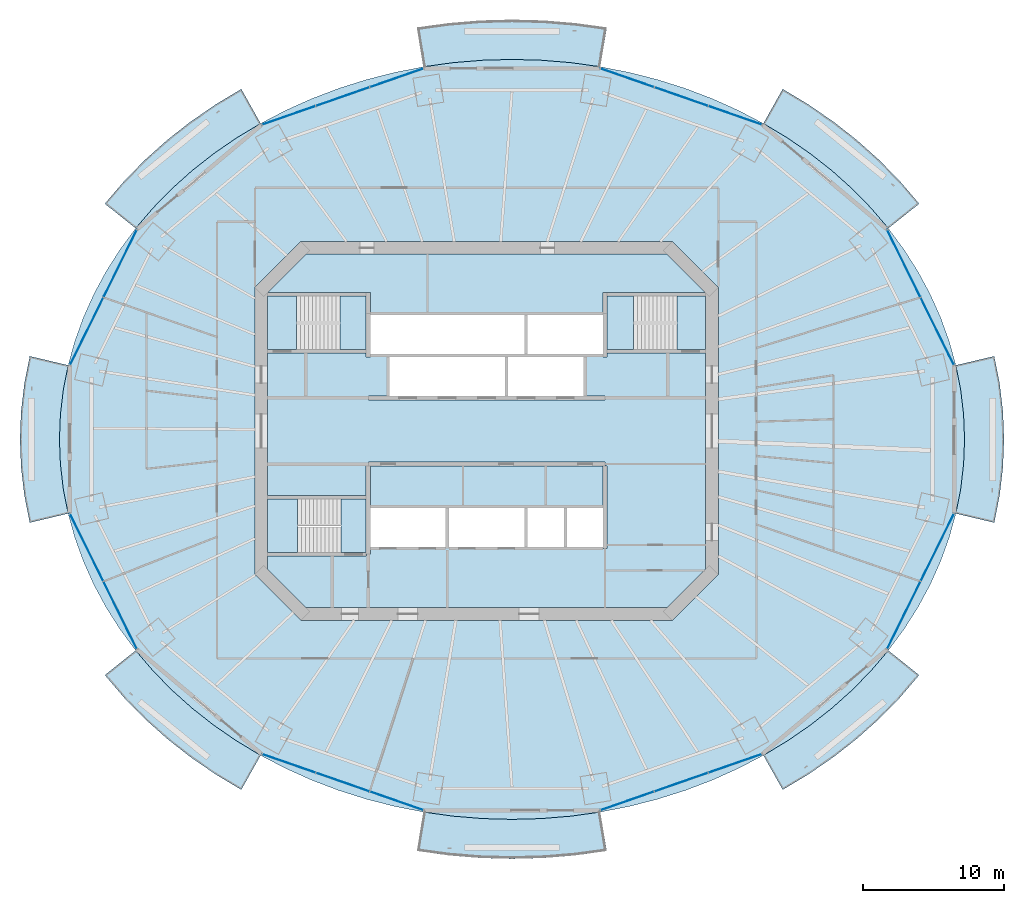
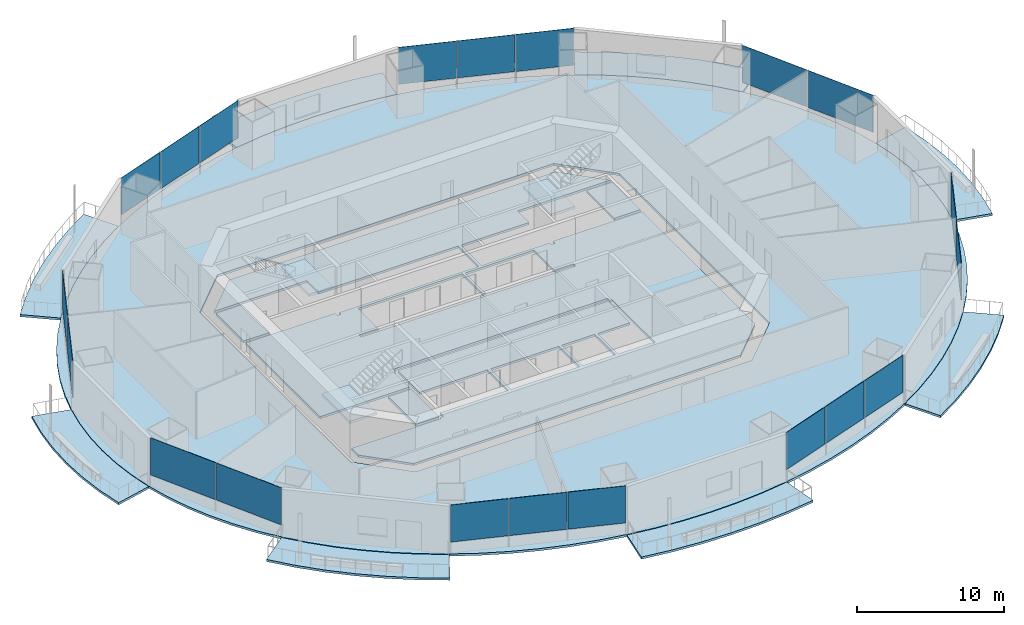
# One storey, part 10 of 20: 20 plates, 16 slabs, 11 elements without a shape of their own.
"""IFC4 building model written with IfcOpenShell, lengths in metres."""

from ifc_helpers import new_model, si_unit, direction, frame, origin, origin_2d, place, context, subcontext, project, spatial, polyline, rectangle, outline, extrude, material, layer, layer_set, type_object, element, aggregate, save


model = new_model("IFC4")

# Units and contexts
model_context = context("Model", 3, precision=1e-05, world=origin(), true_north=direction((0.0, 1.0)))
body_context = subcontext(model_context, "Body", "Model", "MODEL_VIEW")
ifc_project = project(units=[si_unit("LENGTHUNIT", "METRE"), si_unit("AREAUNIT", "SQUARE_METRE"), si_unit("VOLUMEUNIT", "CUBIC_METRE"), si_unit("PLANEANGLEUNIT", "RADIAN"), si_unit("MASSUNIT", "GRAM", prefix="KILO")], contexts=[model_context])

# Site, building, storey
site_placement = place(None, origin())
site = spatial("IfcSite", under=ifc_project, at=site_placement, CompositionType="ELEMENT")
building_placement = place(site_placement, origin())
building = spatial("IfcBuilding", under=site, at=building_placement, Name="Marenthal Gate Tower", CompositionType="ELEMENT")
storey_placement = place(building_placement, frame((0.0, 0.0, 190.10009765625)))
storey = spatial("IfcBuildingStorey", under=building, at=storey_placement, Name="L41", CompositionType="ELEMENT", Elevation=190.10009765625)

# Slabs
ifc_material_1 = material(Name="Concrete 40 MPa", Category="concrete")
ifc_layer_1 = layer(ifc_material_1, 0.179931640625)
ifc_layer_set_1 = layer_set([ifc_layer_1], Name="Balcony deck 180")
slab_type_1 = type_object("IfcSlabType", Name="Balcony deck 180", PredefinedType="USERDEFINED", material=ifc_layer_set_1)
slab_1_placement = place(storey_placement, frame((0.0, 0.0, -0.22021484375)))
element("IfcSlab", 1, at=slab_1_placement, inside=storey, type_object=slab_type_1, Name="Balcony deck L41 bay 2", ObjectType="BALCONY", PredefinedType="USERDEFINED", context=body_context, shape_type="SweptSolid", body=[
    extrude(outline(polyline([(28.519287109375, 14.389892578125), (27.29443359375, 15.824951171875), (25.96044921875, 17.189697265625), (24.52294921875, 18.478515625), (22.988037109375, 19.685302734375), (21.362548828125, 20.805419921875), (19.6533203125, 21.833984375), (21.023193359375, 24.27587890625), (22.87890625, 23.1591796875), (24.648193359375, 21.940185546875), (26.3232421875, 20.622802734375), (27.896728515625, 19.21240234375), (29.361328125, 17.7138671875), (30.710205078125, 16.13330078125), (28.519287109375, 14.389892578125)])), origin(), (0.0, 0.0, 1.0), 0.18017578125),
])
slab_2_placement = place(storey_placement, frame((0.0, 0.0, -0.22021484375)))
element("IfcSlab", 2, at=slab_2_placement, inside=storey, type_object=slab_type_1, Name="Balcony deck L41 bay 4", ObjectType="BALCONY", PredefinedType="USERDEFINED", context=body_context, shape_type="SweptSolid", body=[
    extrude(outline(polyline([(8.069091796875, 25.862548828125), (5.994384765625, 26.150146484375), (3.901611328125, 26.3232421875), (1.800048828125, 26.381103515625), (-0.3017578125, 26.3232421875), (-2.39453125, 26.150146484375), (-4.46923828125, 25.862548828125), (-4.930419921875, 28.624267578125), (-2.7021484375, 28.933349609375), (-0.45556640625, 29.118896484375), (1.800048828125, 29.180908203125), (4.0556640625, 29.118896484375), (6.30224609375, 28.933349609375), (8.530517578125, 28.624267578125), (8.069091796875, 25.862548828125)])), origin(), (0.0, 0.0, 1.0), 0.18017578125),
])
slab_3_placement = place(storey_placement, frame((0.0, 0.0, -0.22021484375)))
element("IfcSlab", 3, at=slab_3_placement, inside=storey, type_object=slab_type_1, Name="Balcony deck L41 bay 6", ObjectType="BALCONY", PredefinedType="USERDEFINED", context=body_context, shape_type="SweptSolid", body=[
    extrude(outline(polyline([(-16.05322265625, 21.833984375), (-17.762451171875, 20.805419921875), (-19.38818359375, 19.685302734375), (-20.9228515625, 18.478515625), (-22.3603515625, 17.189697265625), (-23.6943359375, 15.824951171875), (-24.919189453125, 14.389892578125), (-27.110107421875, 16.13330078125), (-25.76123046875, 17.7138671875), (-24.296630859375, 19.21240234375), (-22.723388671875, 20.622802734375), (-21.04833984375, 21.940185546875), (-19.279052734375, 23.1591796875), (-17.423095703125, 24.27587890625), (-16.05322265625, 21.833984375)])), origin(), (0.0, 0.0, 1.0), 0.18017578125),
])
slab_4_placement = place(storey_placement, frame((0.0, 0.0, -0.22021484375)))
element("IfcSlab", 4, at=slab_4_placement, inside=storey, type_object=slab_type_1, Name="Balcony deck L41 bay 8", ObjectType="BALCONY", PredefinedType="USERDEFINED", context=body_context, shape_type="SweptSolid", body=[
    extrude(outline(polyline([(-29.717529296875, 4.663818359375), (-30.06005859375, 2.921630859375), (-30.26611328125, 1.16455078125), (-30.3349609375, -0.60009765625), (-30.26611328125, -2.364501953125), (-30.06005859375, -4.12158203125), (-29.717529296875, -5.86376953125), (-32.442138671875, -6.50927734375), (-32.826416015625, -4.555419921875), (-33.0576171875, -2.58251953125), (-33.135009765625, -0.60009765625), (-33.0576171875, 1.382568359375), (-32.826416015625, 3.35546875), (-32.442138671875, 5.30908203125), (-29.717529296875, 4.663818359375)])), origin(), (0.0, 0.0, 1.0), 0.18017578125),
])
slab_5_placement = place(storey_placement, frame((0.0, 0.0, -0.22021484375)))
element("IfcSlab", 5, at=slab_5_placement, inside=storey, type_object=slab_type_1, Name="Balcony deck L41 bay 10", ObjectType="BALCONY", PredefinedType="USERDEFINED", context=body_context, shape_type="SweptSolid", body=[
    extrude(outline(polyline([(-24.919189453125, -15.58984375), (-23.6943359375, -17.02490234375), (-22.3603515625, -18.389892578125), (-20.9228515625, -19.678466796875), (-19.38818359375, -20.885498046875), (-17.762451171875, -22.005615234375), (-16.05322265625, -23.033935546875), (-17.423095703125, -25.475830078125), (-19.279052734375, -24.359375), (-21.04833984375, -23.14013671875), (-22.723388671875, -21.82275390625), (-24.296630859375, -20.412353515625), (-25.76123046875, -18.913818359375), (-27.110107421875, -17.333251953125), (-24.919189453125, -15.58984375)])), origin(), (0.0, 0.0, 1.0), 0.18017578125),
])
slab_6_placement = place(storey_placement, frame((0.0, 0.0, -0.22021484375)))
element("IfcSlab", 6, at=slab_6_placement, inside=storey, type_object=slab_type_1, Name="Balcony deck L41 bay 12", ObjectType="BALCONY", PredefinedType="USERDEFINED", context=body_context, shape_type="SweptSolid", body=[
    extrude(outline(polyline([(-4.46923828125, -27.0625), (-2.39453125, -27.35009765625), (-0.3017578125, -27.523193359375), (1.800048828125, -27.5810546875), (3.901611328125, -27.523193359375), (5.994384765625, -27.35009765625), (8.069091796875, -27.0625), (8.530517578125, -29.824462890625), (6.30224609375, -30.13330078125), (4.0556640625, -30.319091796875), (1.800048828125, -30.381103515625), (-0.45556640625, -30.319091796875), (-2.7021484375, -30.13330078125), (-4.930419921875, -29.824462890625), (-4.46923828125, -27.0625)])), origin(), (0.0, 0.0, 1.0), 0.18017578125),
])
slab_7_placement = place(storey_placement, frame((0.0, 0.0, -0.22021484375)))
element("IfcSlab", 7, at=slab_7_placement, inside=storey, type_object=slab_type_1, Name="Balcony deck L41 bay 14", ObjectType="BALCONY", PredefinedType="USERDEFINED", context=body_context, shape_type="SweptSolid", body=[
    extrude(outline(polyline([(19.6533203125, -23.033935546875), (21.362548828125, -22.005615234375), (22.988037109375, -20.885498046875), (24.52294921875, -19.678466796875), (25.96044921875, -18.389892578125), (27.29443359375, -17.02490234375), (28.519287109375, -15.58984375), (30.710205078125, -17.333251953125), (29.361328125, -18.913818359375), (27.896728515625, -20.412353515625), (26.3232421875, -21.82275390625), (24.648193359375, -23.14013671875), (22.87890625, -24.359375), (21.023193359375, -25.475830078125), (19.6533203125, -23.033935546875)])), origin(), (0.0, 0.0, 1.0), 0.18017578125),
])
slab_8_placement = place(storey_placement, frame((0.0, 0.0, -0.22021484375)))
element("IfcSlab", 8, at=slab_8_placement, inside=storey, type_object=slab_type_1, Name="Balcony deck L41 bay 16", ObjectType="BALCONY", PredefinedType="USERDEFINED", context=body_context, shape_type="SweptSolid", body=[
    extrude(outline(polyline([(33.3173828125, -5.86376953125), (33.66015625, -4.12158203125), (33.8662109375, -2.364501953125), (33.93505859375, -0.60009765625), (33.8662109375, 1.16455078125), (33.66015625, 2.921630859375), (33.3173828125, 4.663818359375), (36.0419921875, 5.30908203125), (36.42626953125, 3.35546875), (36.65771484375, 1.382568359375), (36.735107421875, -0.60009765625), (36.65771484375, -2.58251953125), (36.42626953125, -4.555419921875), (36.0419921875, -6.50927734375), (33.3173828125, -5.86376953125)])), origin(), (0.0, 0.0, 1.0), 0.18017578125),
])
ifc_material_2 = material(Name="Concrete 50 MPa", Category="concrete")
ifc_layer_2 = layer(ifc_material_2, 0.179931640625)
ifc_layer_set_2 = layer_set([ifc_layer_2], Name="Core floor slab 180")
slab_type_2 = type_object("IfcSlabType", Name="Core floor slab 180", PredefinedType="FLOOR", material=ifc_layer_set_2)
slab_9_placement = place(storey_placement, frame((0.0, 0.0, -0.18017578125)))
element("IfcSlab", 9, at=slab_9_placement, inside=storey, type_object=slab_type_2, Name="Core floor L41", PredefinedType="FLOOR", context=body_context, shape_type="SweptSolid", body=[
    extrude(outline(polyline([(12.813720703125, -12.550048828125), (-12.813720703125, -12.550048828125), (-15.550048828125, -9.813720703125), (-15.550048828125, -8.875), (-8.550048828125, -8.875), (-8.550048828125, -8.75), (-8.25, -8.75), (-8.25, -8.239990234375), (-5.60009765625, -8.239990234375), (-2.909912109375, -8.239990234375), (-2.909912109375, -5.4599609375), (-5.60009765625, -5.4599609375), (-8.25, -5.4599609375), (-8.25, -2.5), (8.25, -2.5), (8.25, -5.4599609375), (5.7099609375, -5.4599609375), (5.7099609375, -8.239990234375), (8.25, -8.239990234375), (8.25, -8.35009765625), (8.550048828125, -8.35009765625), (8.550048828125, -2.5), (8.39990234375, -2.5), (8.39990234375, -2.199951171875), (-8.39990234375, -2.199951171875), (-8.39990234375, -2.5), (-8.550048828125, -2.5), (-8.550048828125, -4.574951171875), (-15.550048828125, -4.574951171875), (-15.550048828125, 5.52490234375), (-8.550048828125, 5.52490234375), (-8.550048828125, 5.239990234375), (-8.25, 5.239990234375), (-8.25, 5.4599609375), (-5.60009765625, 5.4599609375), (-2.800048828125, 5.4599609375), (0.0, 5.4599609375), (2.68994140625, 5.4599609375), (2.68994140625, 8.239990234375), (0.0, 8.239990234375), (-2.800048828125, 8.239990234375), (-5.60009765625, 8.239990234375), (-8.25, 8.239990234375), (-8.25, 8.35009765625), (-8.25, 9.824951171875), (-8.550048828125, 9.824951171875), (-15.53857421875, 9.824951171875), (-12.813720703125, 12.550048828125), (12.813720703125, 12.550048828125), (15.53857421875, 9.824951171875), (8.550048828125, 9.824951171875), (8.25, 9.824951171875), (8.25, 8.35009765625), (8.25, 8.239990234375), (5.60009765625, 8.239990234375), (2.909912109375, 8.239990234375), (2.909912109375, 5.4599609375), (5.60009765625, 5.4599609375), (8.25, 5.4599609375), (8.25, 5.239990234375), (8.550048828125, 5.239990234375), (8.550048828125, 5.52490234375), (15.550048828125, 5.52490234375), (15.550048828125, -9.813720703125), (12.813720703125, -12.550048828125)]), holes=[polyline([(2.68994140625, -8.239990234375), (2.68994140625, -5.4599609375), (0.0, -5.4599609375), (-2.68994140625, -5.4599609375), (-2.68994140625, -8.239990234375), (0.0, -8.239990234375), (2.68994140625, -8.239990234375)]), polyline([(-6.889892578125, 5.239990234375), (-6.889892578125, 2.5), (-8.39990234375, 2.5), (-8.39990234375, 2.199951171875), (8.39990234375, 2.199951171875), (8.39990234375, 2.5), (6.889892578125, 2.5), (6.889892578125, 5.239990234375), (4.199951171875, 5.239990234375), (1.510009765625, 5.239990234375), (1.510009765625, 2.5), (1.2900390625, 2.5), (1.2900390625, 5.239990234375), (-1.39990234375, 5.239990234375), (-4.199951171875, 5.239990234375), (-6.889892578125, 5.239990234375)]), polyline([(5.489990234375, -5.4599609375), (2.909912109375, -5.4599609375), (2.909912109375, -8.239990234375), (5.489990234375, -8.239990234375), (5.489990234375, -5.4599609375)])]), origin(), (0.0, 0.0, 1.0), 0.18017578125),
])
slab_10_placement = place(storey_placement, frame((0.0, 0.0, -0.18017578125)))
element("IfcSlab", 10, at=slab_10_placement, inside=storey, type_object=slab_type_2, Name="Core floor L41", PredefinedType="FLOOR", context=body_context, shape_type="SweptSolid", body=[
    extrude(outline(polyline([(15.550048828125, 5.77490234375), (13.5, 5.77490234375), (13.5, 9.574951171875), (15.550048828125, 9.574951171875), (15.550048828125, 5.77490234375)])), origin(), (0.0, 0.0, 1.0), 0.18017578125),
])
slab_11_placement = place(storey_placement, frame((0.0, 0.0, -0.18017578125)))
element("IfcSlab", 11, at=slab_11_placement, inside=storey, type_object=slab_type_2, Name="Core floor L41", PredefinedType="FLOOR", context=body_context, shape_type="SweptSolid", body=[
    extrude(outline(polyline([(-15.550048828125, 9.574951171875), (-13.5, 9.574951171875), (-13.5, 5.77490234375), (-15.550048828125, 5.77490234375), (-15.550048828125, 9.574951171875)])), origin(), (0.0, 0.0, 1.0), 0.18017578125),
])
slab_12_placement = place(storey_placement, frame((0.0, 0.0, -0.18017578125)))
element("IfcSlab", 12, at=slab_12_placement, inside=storey, type_object=slab_type_2, Name="Core floor L41", PredefinedType="FLOOR", context=body_context, shape_type="SweptSolid", body=[
    extrude(outline(polyline([(-8.550048828125, -8.625), (-10.35009765625, -8.625), (-10.35009765625, -4.824951171875), (-8.550048828125, -4.824951171875), (-8.550048828125, -8.625)])), origin(), (0.0, 0.0, 1.0), 0.18017578125),
])
ifc_material_3 = material(Name="Concrete 35 MPa", Category="concrete")
ifc_layer_3 = layer(ifc_material_3, 0.179931640625)
ifc_layer_set_3 = layer_set([ifc_layer_3], Name="Floor slab 180")
slab_type_3 = type_object("IfcSlabType", Name="Floor slab 180", PredefinedType="FLOOR", material=ifc_layer_set_3)
slab_13_placement = place(storey_placement, frame((0.0, 0.0, -0.18017578125)))
element("IfcSlab", 13, at=slab_13_placement, inside=storey, type_object=slab_type_3, Name="SL-L41-01", PredefinedType="FLOOR", context=body_context, shape_type="SweptSolid", body=[
    extrude(outline(polyline([(33.93505859375, -0.60009765625), (33.8662109375, 1.16455078125), (33.66015625, 2.921630859375), (33.3173828125, 4.663818359375), (32.840087890625, 6.38330078125), (32.2294921875, 8.07275390625), (31.489013671875, 9.72509765625), (30.62109375, 11.33349609375), (29.629638671875, 12.890380859375), (28.519287109375, 14.389892578125), (27.29443359375, 15.824951171875), (25.96044921875, 17.189697265625), (24.52294921875, 18.478515625), (22.988037109375, 19.685302734375), (21.362548828125, 20.805419921875), (19.6533203125, 21.833984375), (17.867431640625, 22.76611328125), (16.012939453125, 23.598388671875), (14.097412109375, 24.3271484375), (12.12939453125, 24.94921875), (10.1171875, 25.461669921875), (8.069091796875, 25.862548828125), (5.994384765625, 26.150146484375), (3.901611328125, 26.3232421875), (1.800048828125, 26.381103515625), (-0.3017578125, 26.3232421875), (-2.39453125, 26.150146484375), (-4.46923828125, 25.862548828125), (-6.51708984375, 25.461669921875), (-8.529541015625, 24.94921875), (-10.49755859375, 24.3271484375), (-12.412841796875, 23.598388671875), (-14.267578125, 22.76611328125), (-16.05322265625, 21.833984375), (-17.762451171875, 20.805419921875), (-19.38818359375, 19.685302734375), (-20.9228515625, 18.478515625), (-22.3603515625, 17.189697265625), (-23.6943359375, 15.824951171875), (-24.919189453125, 14.389892578125), (-26.02978515625, 12.890380859375), (-27.02099609375, 11.33349609375), (-27.888916015625, 9.72509765625), (-28.629638671875, 8.07275390625), (-29.239990234375, 6.38330078125), (-29.717529296875, 4.663818359375), (-30.06005859375, 2.921630859375), (-30.26611328125, 1.16455078125), (-30.3349609375, -0.60009765625), (-30.26611328125, -2.364501953125), (-30.06005859375, -4.12158203125), (-29.717529296875, -5.86376953125), (-29.239990234375, -7.583251953125), (-28.629638671875, -9.272705078125), (-27.888916015625, -10.92529296875), (-27.02099609375, -12.533447265625), (-26.02978515625, -14.090576171875), (-24.919189453125, -15.58984375), (-23.6943359375, -17.02490234375), (-22.3603515625, -18.389892578125), (-20.9228515625, -19.678466796875), (-19.38818359375, -20.885498046875), (-17.762451171875, -22.005615234375), (-16.05322265625, -23.033935546875), (-14.267578125, -23.96630859375), (-12.412841796875, -24.798583984375), (-10.49755859375, -25.527099609375), (-8.529541015625, -26.149169921875), (-6.51708984375, -26.66162109375), (-4.46923828125, -27.0625), (-2.39453125, -27.35009765625), (-0.3017578125, -27.523193359375), (1.800048828125, -27.5810546875), (3.901611328125, -27.523193359375), (5.994384765625, -27.35009765625), (8.069091796875, -27.0625), (10.1171875, -26.66162109375), (12.12939453125, -26.149169921875), (14.097412109375, -25.527099609375), (16.012939453125, -24.798583984375), (17.867431640625, -23.96630859375), (19.6533203125, -23.033935546875), (21.362548828125, -22.005615234375), (22.988037109375, -20.885498046875), (24.52294921875, -19.678466796875), (25.96044921875, -18.389892578125), (27.29443359375, -17.02490234375), (28.519287109375, -15.58984375), (29.629638671875, -14.090576171875), (30.62109375, -12.533447265625), (31.489013671875, -10.92529296875), (32.2294921875, -9.272705078125), (32.840087890625, -7.583251953125), (33.3173828125, -5.86376953125), (33.66015625, -4.12158203125), (33.8662109375, -2.364501953125), (33.93505859375, -0.60009765625)]), holes=[polyline([(13.186279296875, -13.449951171875), (16.449951171875, -10.186279296875), (16.449951171875, 10.186279296875), (13.186279296875, 13.449951171875), (-13.186279296875, 13.449951171875), (-16.449951171875, 10.186279296875), (-16.449951171875, -10.186279296875), (-13.186279296875, -13.449951171875), (13.186279296875, -13.449951171875)])]), origin(), (0.0, 0.0, 1.0), 0.18017578125),
])

# Curtain wall, plates
ifc_material_4 = material(Name="Aluminium and glass", Category="aluminium")
curtain_wall_type = type_object("IfcCurtainWallType", Name="Curtain wall typical mid", PredefinedType="NOTDEFINED", material=ifc_material_4)
curtain_wall_1_placement = place(storey_placement, origin())
curtain_wall_1 = element("IfcCurtainWall", 14, at=curtain_wall_1_placement, inside=storey, type_object=curtain_wall_type, Name="Curtain wall L41 bay 1", PredefinedType="NOTDEFINED")
ifc_material_5 = material(Name="Glass, laminated insulating unit", Category="glass")
ifc_layer_4 = layer(ifc_material_5, 0.030029296875)
ifc_layer_set_4 = layer_set([ifc_layer_4], Name="Glass panel 30 typical mid")
plate_type = type_object("IfcPlateType", Name="Glass panel 30 typical mid", PredefinedType="CURTAIN_PANEL", material=ifc_layer_set_4)
plate_1_placement = place(storey_placement, frame((31.998046875, 7.074462890625, 0.89990234375), z_axis=(0.0, 0.0, 1.0), x_axis=(-0.442677643406, 0.896680826174, 0.0)))
plate_1 = element("IfcPlate", 15, at=plate_1_placement, type_object=plate_type, Name="Glass panel L41 bay 1.1", PredefinedType="CURTAIN_PANEL", context=body_context, shape_type="SweptSolid", body=[
    extrude(rectangle(XDim=5.309326171875, YDim=0.030029296875, at=origin_2d()), origin(), (0.0, 0.0, 1.0), 3.070068359375),
])
plate_2_placement = place(storey_placement, frame((29.621337890625, 11.888916015625, 0.89990234375), z_axis=(0.0, 0.0, 1.0), x_axis=(-0.442677643406, 0.896680826174, 0.0)))
plate_2 = element("IfcPlate", 16, at=plate_2_placement, type_object=plate_type, Name="Glass panel L41 bay 1.2", PredefinedType="CURTAIN_PANEL", context=body_context, shape_type="SweptSolid", body=[
    extrude(rectangle(XDim=5.309326171875, YDim=0.030029296875, at=origin_2d()), origin(), (0.0, 0.0, 1.0), 3.070068359375),
])
aggregate(curtain_wall_1, [plate_1, plate_2])

curtain_wall_2_placement = place(storey_placement, origin())
curtain_wall_2 = element("IfcCurtainWall", 17, at=curtain_wall_2_placement, inside=storey, type_object=curtain_wall_type, Name="Curtain wall L41 bay 3", PredefinedType="NOTDEFINED")
plate_3_placement = place(storey_placement, frame((17.644287109375, 22.4091796875, 0.89990234375), z_axis=(0.0, 0.0, 1.0), x_axis=(-0.944582890203, 0.328273001535, 0.0)))
plate_3 = element("IfcPlate", 18, at=plate_3_placement, type_object=plate_type, Name="Glass panel L41 bay 3.1", PredefinedType="CURTAIN_PANEL", context=body_context, shape_type="SweptSolid", body=[
    extrude(rectangle(XDim=3.99267578125, YDim=0.030029296875, at=origin_2d()), origin(), (0.0, 0.0, 1.0), 3.070068359375),
])
plate_4_placement = place(storey_placement, frame((13.816162109375, 23.739501953125, 0.89990234375), z_axis=(0.0, 0.0, 1.0), x_axis=(-0.944582890203, 0.328273001535, 0.0)))
plate_4 = element("IfcPlate", 19, at=plate_4_placement, type_object=plate_type, Name="Glass panel L41 bay 3.2", PredefinedType="CURTAIN_PANEL", context=body_context, shape_type="SweptSolid", body=[
    extrude(rectangle(XDim=3.99267578125, YDim=0.030029296875, at=origin_2d()), origin(), (0.0, 0.0, 1.0), 3.070068359375),
])
plate_5_placement = place(storey_placement, frame((9.988037109375, 25.06982421875, 0.89990234375), z_axis=(0.0, 0.0, 1.0), x_axis=(-0.944582890203, 0.328273001535, 0.0)))
plate_5 = element("IfcPlate", 20, at=plate_5_placement, type_object=plate_type, Name="Glass panel L41 bay 3.3", PredefinedType="CURTAIN_PANEL", context=body_context, shape_type="SweptSolid", body=[
    extrude(rectangle(XDim=3.99267578125, YDim=0.030029296875, at=origin_2d()), origin(), (0.0, 0.0, 1.0), 3.070068359375),
])
aggregate(curtain_wall_2, [plate_3, plate_4, plate_5])

curtain_wall_3_placement = place(storey_placement, origin())
curtain_wall_3 = element("IfcCurtainWall", 21, at=curtain_wall_3_placement, inside=storey, type_object=curtain_wall_type, Name="Curtain wall L41 bay 5", PredefinedType="NOTDEFINED")
plate_6_placement = place(storey_placement, frame((-6.38818359375, 25.06982421875, 0.89990234375), z_axis=(0.0, 0.0, 1.0), x_axis=(-0.944582890203, -0.328273001535, 0.0)))
plate_6 = element("IfcPlate", 22, at=plate_6_placement, type_object=plate_type, Name="Glass panel L41 bay 5.1", PredefinedType="CURTAIN_PANEL", context=body_context, shape_type="SweptSolid", body=[
    extrude(rectangle(XDim=3.99267578125, YDim=0.030029296875, at=origin_2d()), origin(), (0.0, 0.0, 1.0), 3.070068359375),
])
plate_7_placement = place(storey_placement, frame((-10.21630859375, 23.739501953125, 0.89990234375), z_axis=(0.0, 0.0, 1.0), x_axis=(-0.944582890203, -0.328273001535, 0.0)))
plate_7 = element("IfcPlate", 23, at=plate_7_placement, type_object=plate_type, Name="Glass panel L41 bay 5.2", PredefinedType="CURTAIN_PANEL", context=body_context, shape_type="SweptSolid", body=[
    extrude(rectangle(XDim=3.99267578125, YDim=0.030029296875, at=origin_2d()), origin(), (0.0, 0.0, 1.0), 3.070068359375),
])
plate_8_placement = place(storey_placement, frame((-14.044189453125, 22.4091796875, 0.89990234375), z_axis=(0.0, 0.0, 1.0), x_axis=(-0.944582890203, -0.328273001535, 0.0)))
plate_8 = element("IfcPlate", 24, at=plate_8_placement, type_object=plate_type, Name="Glass panel L41 bay 5.3", PredefinedType="CURTAIN_PANEL", context=body_context, shape_type="SweptSolid", body=[
    extrude(rectangle(XDim=3.99267578125, YDim=0.030029296875, at=origin_2d()), origin(), (0.0, 0.0, 1.0), 3.070068359375),
])
aggregate(curtain_wall_3, [plate_6, plate_7, plate_8])

curtain_wall_4_placement = place(storey_placement, origin())
curtain_wall_4 = element("IfcCurtainWall", 25, at=curtain_wall_4_placement, inside=storey, type_object=curtain_wall_type, Name="Curtain wall L41 bay 7", PredefinedType="NOTDEFINED")
plate_9_placement = place(storey_placement, frame((-26.021240234375, 11.888916015625, 0.89990234375), z_axis=(0.0, 0.0, 1.0), x_axis=(-0.442677643406, -0.896680826174, 0.0)))
plate_9 = element("IfcPlate", 26, at=plate_9_placement, type_object=plate_type, Name="Glass panel L41 bay 7.1", PredefinedType="CURTAIN_PANEL", context=body_context, shape_type="SweptSolid", body=[
    extrude(rectangle(XDim=5.309326171875, YDim=0.030029296875, at=origin_2d()), origin(), (0.0, 0.0, 1.0), 3.070068359375),
])
plate_10_placement = place(storey_placement, frame((-28.398193359375, 7.074462890625, 0.89990234375), z_axis=(0.0, 0.0, 1.0), x_axis=(-0.442677643406, -0.896680826174, 0.0)))
plate_10 = element("IfcPlate", 27, at=plate_10_placement, type_object=plate_type, Name="Glass panel L41 bay 7.2", PredefinedType="CURTAIN_PANEL", context=body_context, shape_type="SweptSolid", body=[
    extrude(rectangle(XDim=5.309326171875, YDim=0.030029296875, at=origin_2d()), origin(), (0.0, 0.0, 1.0), 3.070068359375),
])
aggregate(curtain_wall_4, [plate_9, plate_10])

curtain_wall_5_placement = place(storey_placement, origin())
curtain_wall_5 = element("IfcCurtainWall", 28, at=curtain_wall_5_placement, inside=storey, type_object=curtain_wall_type, Name="Curtain wall L41 bay 9", PredefinedType="NOTDEFINED")
plate_11_placement = place(storey_placement, frame((-28.398193359375, -8.2744140625, 0.89990234375), z_axis=(0.0, 0.0, 1.0), x_axis=(0.442677643406, -0.896680826174, 0.0)))
plate_11 = element("IfcPlate", 29, at=plate_11_placement, type_object=plate_type, Name="Glass panel L41 bay 9.1", PredefinedType="CURTAIN_PANEL", context=body_context, shape_type="SweptSolid", body=[
    extrude(rectangle(XDim=5.309326171875, YDim=0.030029296875, at=origin_2d()), origin(), (0.0, 0.0, 1.0), 3.070068359375),
])
plate_12_placement = place(storey_placement, frame((-26.021240234375, -13.089111328125, 0.89990234375), z_axis=(0.0, 0.0, 1.0), x_axis=(0.442677643406, -0.896680826174, 0.0)))
plate_12 = element("IfcPlate", 30, at=plate_12_placement, type_object=plate_type, Name="Glass panel L41 bay 9.2", PredefinedType="CURTAIN_PANEL", context=body_context, shape_type="SweptSolid", body=[
    extrude(rectangle(XDim=5.309326171875, YDim=0.030029296875, at=origin_2d()), origin(), (0.0, 0.0, 1.0), 3.070068359375),
])
aggregate(curtain_wall_5, [plate_11, plate_12])

curtain_wall_6_placement = place(storey_placement, origin())
curtain_wall_6 = element("IfcCurtainWall", 31, at=curtain_wall_6_placement, inside=storey, type_object=curtain_wall_type, Name="Curtain wall L41 bay 11", PredefinedType="NOTDEFINED")
plate_13_placement = place(storey_placement, frame((-14.044189453125, -23.609130859375, 0.89990234375), z_axis=(0.0, 0.0, 1.0), x_axis=(0.944582890203, -0.328273001535, 0.0)))
plate_13 = element("IfcPlate", 32, at=plate_13_placement, type_object=plate_type, Name="Glass panel L41 bay 11.1", PredefinedType="CURTAIN_PANEL", context=body_context, shape_type="SweptSolid", body=[
    extrude(rectangle(XDim=3.99267578125, YDim=0.030029296875, at=origin_2d()), origin(), (0.0, 0.0, 1.0), 3.070068359375),
])
plate_14_placement = place(storey_placement, frame((-10.21630859375, -24.939453125, 0.89990234375), z_axis=(0.0, 0.0, 1.0), x_axis=(0.944582890203, -0.328273001535, 0.0)))
plate_14 = element("IfcPlate", 33, at=plate_14_placement, type_object=plate_type, Name="Glass panel L41 bay 11.2", PredefinedType="CURTAIN_PANEL", context=body_context, shape_type="SweptSolid", body=[
    extrude(rectangle(XDim=3.99267578125, YDim=0.030029296875, at=origin_2d()), origin(), (0.0, 0.0, 1.0), 3.070068359375),
])
plate_15_placement = place(storey_placement, frame((-6.38818359375, -26.269775390625, 0.89990234375), z_axis=(0.0, 0.0, 1.0), x_axis=(0.944582890203, -0.328273001535, 0.0)))
plate_15 = element("IfcPlate", 34, at=plate_15_placement, type_object=plate_type, Name="Glass panel L41 bay 11.3", PredefinedType="CURTAIN_PANEL", context=body_context, shape_type="SweptSolid", body=[
    extrude(rectangle(XDim=3.99267578125, YDim=0.030029296875, at=origin_2d()), origin(), (0.0, 0.0, 1.0), 3.070068359375),
])
aggregate(curtain_wall_6, [plate_13, plate_14, plate_15])

curtain_wall_7_placement = place(storey_placement, origin())
curtain_wall_7 = element("IfcCurtainWall", 35, at=curtain_wall_7_placement, inside=storey, type_object=curtain_wall_type, Name="Curtain wall L41 bay 13", PredefinedType="NOTDEFINED")
plate_16_placement = place(storey_placement, frame((9.988037109375, -26.269775390625, 0.89990234375), z_axis=(0.0, 0.0, 1.0), x_axis=(0.944582890203, 0.328273001535, 0.0)))
plate_16 = element("IfcPlate", 36, at=plate_16_placement, type_object=plate_type, Name="Glass panel L41 bay 13.1", PredefinedType="CURTAIN_PANEL", context=body_context, shape_type="SweptSolid", body=[
    extrude(rectangle(XDim=3.99267578125, YDim=0.030029296875, at=origin_2d()), origin(), (0.0, 0.0, 1.0), 3.070068359375),
])
plate_17_placement = place(storey_placement, frame((13.816162109375, -24.939453125, 0.89990234375), z_axis=(0.0, 0.0, 1.0), x_axis=(0.944582890203, 0.328273001535, 0.0)))
plate_17 = element("IfcPlate", 37, at=plate_17_placement, type_object=plate_type, Name="Glass panel L41 bay 13.2", PredefinedType="CURTAIN_PANEL", context=body_context, shape_type="SweptSolid", body=[
    extrude(rectangle(XDim=3.99267578125, YDim=0.030029296875, at=origin_2d()), origin(), (0.0, 0.0, 1.0), 3.070068359375),
])
plate_18_placement = place(storey_placement, frame((17.644287109375, -23.609130859375, 0.89990234375), z_axis=(0.0, 0.0, 1.0), x_axis=(0.944582890203, 0.328273001535, 0.0)))
plate_18 = element("IfcPlate", 38, at=plate_18_placement, type_object=plate_type, Name="Glass panel L41 bay 13.3", PredefinedType="CURTAIN_PANEL", context=body_context, shape_type="SweptSolid", body=[
    extrude(rectangle(XDim=3.99267578125, YDim=0.030029296875, at=origin_2d()), origin(), (0.0, 0.0, 1.0), 3.070068359375),
])
aggregate(curtain_wall_7, [plate_16, plate_17, plate_18])

curtain_wall_8_placement = place(storey_placement, origin())
curtain_wall_8 = element("IfcCurtainWall", 39, at=curtain_wall_8_placement, inside=storey, type_object=curtain_wall_type, Name="Curtain wall L41 bay 15", PredefinedType="NOTDEFINED")
plate_19_placement = place(storey_placement, frame((29.62109375, -13.089111328125, 0.89990234375), z_axis=(0.0, 0.0, 1.0), x_axis=(0.442677643406, 0.896680826174, 0.0)))
plate_19 = element("IfcPlate", 40, at=plate_19_placement, type_object=plate_type, Name="Glass panel L41 bay 15.1", PredefinedType="CURTAIN_PANEL", context=body_context, shape_type="SweptSolid", body=[
    extrude(rectangle(XDim=5.309326171875, YDim=0.030029296875, at=origin_2d()), origin(), (0.0, 0.0, 1.0), 3.070068359375),
])
plate_20_placement = place(storey_placement, frame((31.998046875, -8.2744140625, 0.89990234375), z_axis=(0.0, 0.0, 1.0), x_axis=(0.442677643406, 0.896680826174, 0.0)))
plate_20 = element("IfcPlate", 41, at=plate_20_placement, type_object=plate_type, Name="Glass panel L41 bay 15.2", PredefinedType="CURTAIN_PANEL", context=body_context, shape_type="SweptSolid", body=[
    extrude(rectangle(XDim=5.309326171875, YDim=0.030029296875, at=origin_2d()), origin(), (0.0, 0.0, 1.0), 3.070068359375),
])
aggregate(curtain_wall_8, [plate_19, plate_20])

# Stair, slab
ifc_material_6 = material(Name="Concrete 40 MPa", Category="concrete")
stair_type = type_object("IfcStairType", Name="Exit stair 1800", PredefinedType="HALF_TURN_STAIR", material=ifc_material_6)
stair_1_placement = place(storey_placement, origin())
stair_1 = element("IfcStair", 42, at=stair_1_placement, inside=storey, type_object=stair_type, Name="Stair ST1", PredefinedType="HALF_TURN_STAIR")
ifc_material_7 = material(Name="Concrete 40 MPa", Category="concrete")
ifc_layer_5 = layer(ifc_material_7, 0.199951171875)
ifc_layer_set_5 = layer_set([ifc_layer_5], Name="Stair landing 200")
slab_type_4 = type_object("IfcSlabType", Name="Stair landing 200", PredefinedType="LANDING", material=ifc_layer_set_5)
slab_14_placement = place(storey_placement, frame((0.0, 0.0, 1.875)))
slab_14 = element("IfcSlab", 43, at=slab_14_placement, type_object=slab_type_4, Name="ST1 landing 1", PredefinedType="LANDING", context=body_context, shape_type="SweptSolid", body=[
    extrude(outline(polyline([(-10.419921875, 5.77490234375), (-8.550048828125, 5.77490234375), (-8.550048828125, 9.574951171875), (-10.419921875, 9.574951171875), (-10.419921875, 5.77490234375)])), origin(), (0.0, 0.0, 1.0), 0.199951171875),
])
aggregate(stair_1, [slab_14])

stair_2_placement = place(storey_placement, origin())
stair_2 = element("IfcStair", 44, at=stair_2_placement, inside=storey, type_object=stair_type, Name="Stair ST2", PredefinedType="HALF_TURN_STAIR")
slab_15_placement = place(storey_placement, frame((0.0, 0.0, 1.875)))
slab_15 = element("IfcSlab", 45, at=slab_15_placement, type_object=slab_type_4, Name="ST2 landing 1", PredefinedType="LANDING", context=body_context, shape_type="SweptSolid", body=[
    extrude(outline(polyline([(-15.550048828125, -8.625), (-13.429931640625, -8.625), (-13.429931640625, -4.824951171875), (-15.550048828125, -4.824951171875), (-15.550048828125, -8.625)])), origin(), (0.0, 0.0, 1.0), 0.199951171875),
])
aggregate(stair_2, [slab_15])

stair_3_placement = place(storey_placement, origin())
stair_3 = element("IfcStair", 46, at=stair_3_placement, inside=storey, type_object=stair_type, Name="Stair ST3", PredefinedType="HALF_TURN_STAIR")
slab_16_placement = place(storey_placement, frame((0.0, 0.0, 1.875)))
slab_16 = element("IfcSlab", 47, at=slab_16_placement, type_object=slab_type_4, Name="ST3 landing 1", PredefinedType="LANDING", context=body_context, shape_type="SweptSolid", body=[
    extrude(outline(polyline([(8.550048828125, 5.77490234375), (10.419921875, 5.77490234375), (10.419921875, 9.574951171875), (8.550048828125, 9.574951171875), (8.550048828125, 5.77490234375)])), origin(), (0.0, 0.0, 1.0), 0.199951171875),
])
aggregate(stair_3, [slab_16])

save(model, "model.ifc")
